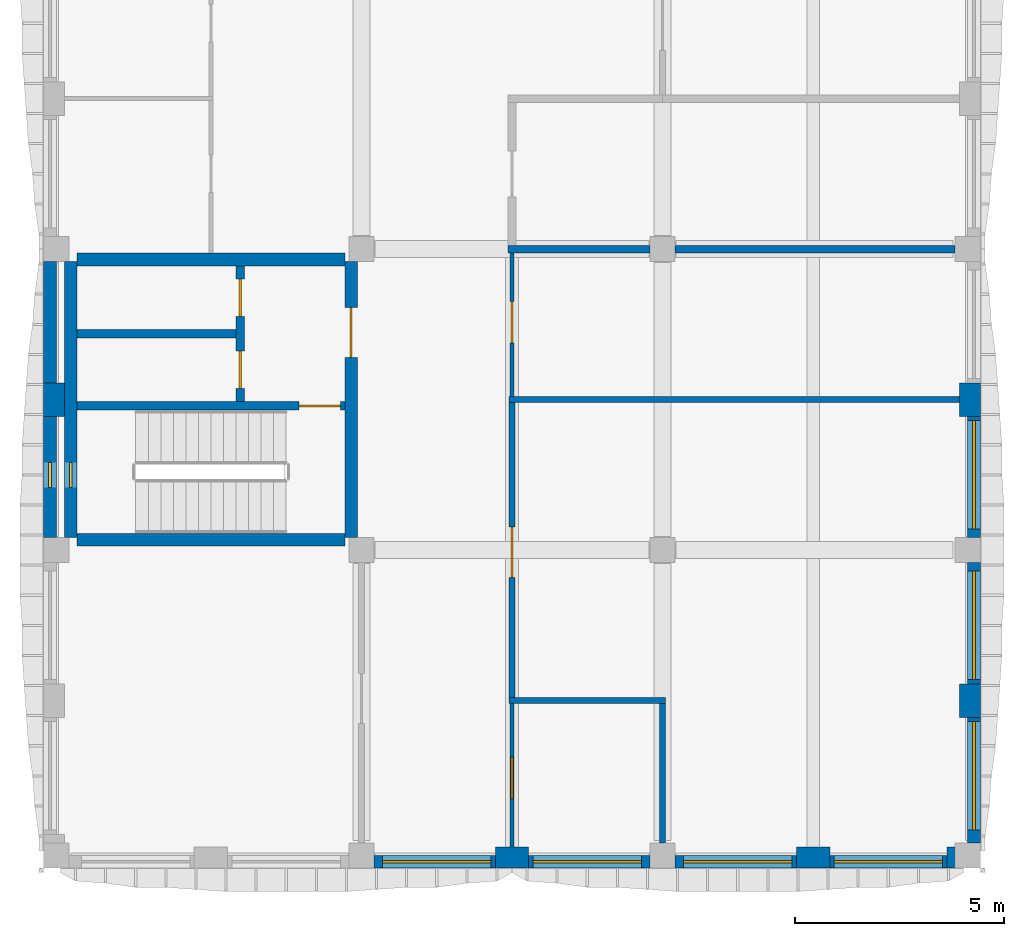
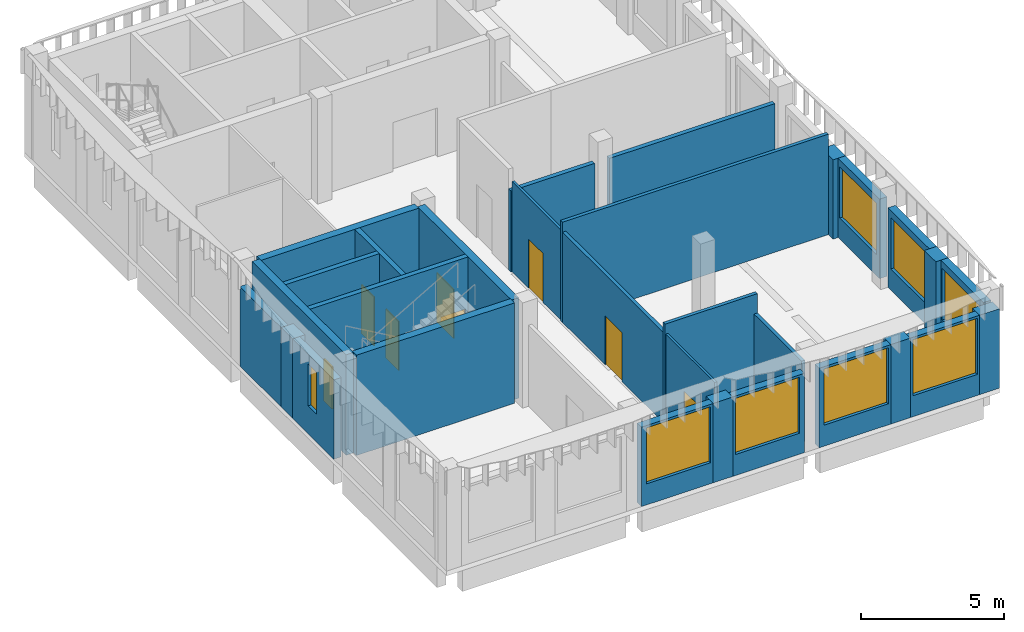
# One storey, part 2 of 10: 30 walls, 9 windows, 7 doors, 16 openings.
"""IFC4 building model written with IfcOpenShell, lengths in metres."""

from ifc_helpers import new_model, si_unit, direction, frame, frame_2d, origin, place, context, subcontext, project, spatial, rectangle, extrude, material, layer, layer_set, type_object, element, fill, save


model = new_model("IFC4")

# Units and contexts
model_context = context("Model", 3, precision=1e-05, world=origin(), true_north=direction((0.0, 1.0)))
body_context = subcontext(model_context, "Body", "Model", "MODEL_VIEW")
ifc_project = project(units=[si_unit("LENGTHUNIT", "METRE"), si_unit("AREAUNIT", "SQUARE_METRE"), si_unit("VOLUMEUNIT", "CUBIC_METRE"), si_unit("PLANEANGLEUNIT", "RADIAN"), si_unit("MASSUNIT", "GRAM", prefix="KILO")], contexts=[model_context])

# Site, building, storey
site_placement = place(None, origin())
site = spatial("IfcSite", under=ifc_project, at=site_placement, CompositionType="ELEMENT")
building_placement = place(site_placement, origin())
building = spatial("IfcBuilding", under=site, at=building_placement, Name="Ussher Court Research Institute", CompositionType="ELEMENT")
storey_placement = place(building_placement, frame((0.0, 0.0, 36.89990234375)))
storey = spatial("IfcBuildingStorey", under=building, at=storey_placement, Name="L08", CompositionType="ELEMENT", Elevation=36.89990234375)

# Walls
ifc_material_1 = material(Name="Plasterboard on steel studs with mineral wool", Category="steel")
ifc_layer_1 = layer(ifc_material_1, 0.179931640625)
ifc_layer_set_1 = layer_set([ifc_layer_1], Name="Plasterboard on steel studs with mineral wool")
wall_type_1 = type_object("IfcWallType", Name="Acoustic twin-stud partition 180", PredefinedType="PARTITIONING", material=ifc_layer_set_1)
wall_1_placement = place(storey_placement, frame((92.909912109375, 18.39990234375, 0.0), z_axis=(0.0, 0.0, 1.0), x_axis=(1.0, 0.0, 0.0)))
element("IfcWall", 1, at=wall_1_placement, inside=storey, type_object=wall_type_1, Name="Partition", PredefinedType="PARTITIONING", context=body_context, shape_type="SweptSolid", body=[
    extrude(rectangle(XDim=3.39013671875, YDim=0.179931640625, at=frame_2d((1.695068359375, 0.0))), origin(), (0.0, 0.0, 1.0), 3.47021484375),
])
wall_2_placement = place(storey_placement, frame((96.89990234375, 18.39990234375, 0.0), z_axis=(0.0, 0.0, 1.0), x_axis=(1.0, 0.0, 0.0)))
element("IfcWall", 2, at=wall_2_placement, inside=storey, type_object=wall_type_1, Name="Partition", PredefinedType="PARTITIONING", context=body_context, shape_type="SweptSolid", body=[
    extrude(rectangle(XDim=6.7001953125, YDim=0.179931640625, at=frame_2d((3.35009765625, 0.0))), origin(), (0.0, 0.0, 1.0), 3.47021484375),
])

# Wall, opening, window
ifc_material_2 = material(Name="Blockwork with cream render", Category="masonry")
ifc_layer_2 = layer(ifc_material_2, 0.300048828125)
ifc_layer_set_2 = layer_set([ifc_layer_2], Name="Blockwork with cream render")
wall_type_2 = type_object("IfcWallType", Name="External wall 300 cream render", PredefinedType="SOLIDWALL", material=ifc_layer_set_2)
wall_3_placement = place(storey_placement, frame((104.050048828125, 14.39990234375, 0.0), z_axis=(0.0, 0.0, 1.0), x_axis=(0.0, -1.0, 0.0)))
wall_3 = element("IfcWall", 3, at=wall_3_placement, inside=storey, type_object=wall_type_2, Name="External wall EW1 L08", PredefinedType="SOLIDWALL", context=body_context, shape_type="SweptSolid", body=[
    extrude(rectangle(XDim=2.89990234375, YDim=0.300048828125, at=frame_2d((1.449951171875, 0.0))), origin(), (0.0, 0.0, 1.0), 3.400146484375),
])
opening_1_placement = place(wall_3_placement, frame((0.10009765625, 0.0, 0.89990234375)))
opening_1 = element("IfcOpeningElement", 4, at=opening_1_placement, cuts=wall_3, Name="Opening W13", PredefinedType="OPENING", context=body_context, shape_type="SweptSolid", body=[
    extrude(rectangle(XDim=2.60009765625, YDim=2.199951171875, at=frame_2d((1.300048828125, 1.10009765625))), frame((0.0, 0.16015625, 0.0), z_axis=(0.0, -1.0, 0.0), x_axis=(1.0, 0.0, 0.0)), (0.0, 0.0, 1.0), 0.320068359375),
])
ifc_material_3 = material(Name="Bronze anodised aluminium with double glazing", Category="aluminium")
window_type_1 = type_object("IfcWindowType", Name="East laboratory window 2600x2200", PartitioningType="DOUBLE_PANEL_VERTICAL", PredefinedType="WINDOW", material=ifc_material_3)
window_1_placement = place(opening_1_placement, origin())
window_1 = element("IfcWindow", 5, at=window_1_placement, inside=storey, type_object=window_type_1, Name="Window W13 L08", OverallHeight=2.199951171875, OverallWidth=2.60009765625, PartitioningType="SINGLE_PANEL", PredefinedType="WINDOW", context=body_context, shape_type="SweptSolid", body=[
    extrude(rectangle(XDim=2.60009765625, YDim=2.199951171875, at=frame_2d((1.300048828125, 1.10009765625))), frame((0.0, 0.030029296875, 0.0), z_axis=(0.0, -1.0, 0.0), x_axis=(1.0, 0.0, 0.0)), (0.0, 0.0, 1.0), 0.06005859375),
])
fill(opening_1, window_1)

wall_4_placement = place(storey_placement, frame((104.050048828125, 10.89990234375, 0.0), z_axis=(0.0, 0.0, 1.0), x_axis=(0.0, -1.0, 0.0)))
wall_4 = element("IfcWall", 6, at=wall_4_placement, inside=storey, type_object=wall_type_2, Name="External wall EW1 L08", PredefinedType="SOLIDWALL", context=body_context, shape_type="SweptSolid", body=[
    extrude(rectangle(XDim=2.89990234375, YDim=0.300048828125, at=frame_2d((1.449951171875, 0.0))), origin(), (0.0, 0.0, 1.0), 3.400146484375),
])
opening_2_placement = place(wall_4_placement, frame((0.199951171875, 0.0, 0.89990234375)))
opening_2 = element("IfcOpeningElement", 7, at=opening_2_placement, cuts=wall_4, Name="Opening W13", PredefinedType="OPENING", context=body_context, shape_type="SweptSolid", body=[
    extrude(rectangle(XDim=2.60009765625, YDim=2.199951171875, at=frame_2d((1.300048828125, 1.10009765625))), frame((0.0, 0.16015625, 0.0), z_axis=(0.0, -1.0, 0.0), x_axis=(1.0, 0.0, 0.0)), (0.0, 0.0, 1.0), 0.320068359375),
])
window_2_placement = place(opening_2_placement, origin())
window_2 = element("IfcWindow", 8, at=window_2_placement, inside=storey, type_object=window_type_1, Name="Window W13 L08", OverallHeight=2.199951171875, OverallWidth=2.60009765625, PartitioningType="SINGLE_PANEL", PredefinedType="WINDOW", context=body_context, shape_type="SweptSolid", body=[
    extrude(rectangle(XDim=2.60009765625, YDim=2.199951171875, at=frame_2d((1.300048828125, 1.10009765625))), frame((0.0, 0.030029296875, 0.0), z_axis=(0.0, -1.0, 0.0), x_axis=(1.0, 0.0, 0.0)), (0.0, 0.0, 1.0), 0.06005859375),
])
fill(opening_2, window_2)

wall_5_placement = place(storey_placement, frame((104.050048828125, 7.199951171875, 0.0), z_axis=(0.0, 0.0, 1.0), x_axis=(0.0, -1.0, 0.0)))
wall_5 = element("IfcWall", 9, at=wall_5_placement, inside=storey, type_object=wall_type_2, Name="External wall EW1 L08", PredefinedType="SOLIDWALL", context=body_context, shape_type="SweptSolid", body=[
    extrude(rectangle(XDim=3.0, YDim=0.300048828125, at=frame_2d((1.5, 0.0))), origin(), (0.0, 0.0, 1.0), 3.400146484375),
])
opening_3_placement = place(wall_5_placement, frame((0.10009765625, 0.0, 0.89990234375)))
opening_3 = element("IfcOpeningElement", 10, at=opening_3_placement, cuts=wall_5, Name="Opening W13", PredefinedType="OPENING", context=body_context, shape_type="SweptSolid", body=[
    extrude(rectangle(XDim=2.60009765625, YDim=2.199951171875, at=frame_2d((1.300048828125, 1.10009765625))), frame((0.0, 0.16015625, 0.0), z_axis=(0.0, -1.0, 0.0), x_axis=(1.0, 0.0, 0.0)), (0.0, 0.0, 1.0), 0.320068359375),
])
window_3_placement = place(opening_3_placement, origin())
window_3 = element("IfcWindow", 11, at=window_3_placement, inside=storey, type_object=window_type_1, Name="Window W13 L08", OverallHeight=2.199951171875, OverallWidth=2.60009765625, PartitioningType="SINGLE_PANEL", PredefinedType="WINDOW", context=body_context, shape_type="SweptSolid", body=[
    extrude(rectangle(XDim=2.60009765625, YDim=2.199951171875, at=frame_2d((1.300048828125, 1.10009765625))), frame((0.0, 0.030029296875, 0.0), z_axis=(0.0, -1.0, 0.0), x_axis=(1.0, 0.0, 0.0)), (0.0, 0.0, 1.0), 0.06005859375),
])
fill(opening_3, window_3)

wall_6_placement = place(storey_placement, frame((103.39990234375, 3.75, 0.0), z_axis=(0.0, 0.0, 1.0), x_axis=(-1.0, 0.0, 0.0)))
wall_6 = element("IfcWall", 12, at=wall_6_placement, inside=storey, type_object=wall_type_2, Name="External wall EW1 L08", PredefinedType="SOLIDWALL", context=body_context, shape_type="SweptSolid", body=[
    extrude(rectangle(XDim=2.7998046875, YDim=0.300048828125, at=frame_2d((1.39990234375, 0.0))), origin(), (0.0, 0.0, 1.0), 3.400146484375),
])
opening_4_placement = place(wall_6_placement, frame((0.10009765625, 0.0, 0.89990234375)))
opening_4 = element("IfcOpeningElement", 13, at=opening_4_placement, cuts=wall_6, Name="Opening W01", PredefinedType="OPENING", context=body_context, shape_type="SweptSolid", body=[
    extrude(rectangle(XDim=2.60009765625, YDim=2.39990234375, at=frame_2d((1.300048828125, 1.199951171875))), frame((0.0, 0.16015625, 0.0), z_axis=(0.0, -1.0, 0.0), x_axis=(1.0, 0.0, 0.0)), (0.0, 0.0, 1.0), 0.320068359375),
])
ifc_material_4 = material(Name="Bronze anodised aluminium with double glazing", Category="aluminium")
window_type_2 = type_object("IfcWindowType", Name="Laboratory bay window 2600x2400", PartitioningType="DOUBLE_PANEL_VERTICAL", PredefinedType="WINDOW", material=ifc_material_4)
window_4_placement = place(opening_4_placement, origin())
window_4 = element("IfcWindow", 14, at=window_4_placement, inside=storey, type_object=window_type_2, Name="Window W01 L08", OverallHeight=2.39990234375, OverallWidth=2.60009765625, PartitioningType="SINGLE_PANEL", PredefinedType="WINDOW", context=body_context, shape_type="SweptSolid", body=[
    extrude(rectangle(XDim=2.60009765625, YDim=2.39990234375, at=frame_2d((1.300048828125, 1.199951171875))), frame((0.0, 0.030029296875, 0.0), z_axis=(0.0, -1.0, 0.0), x_axis=(1.0, 0.0, 0.0)), (0.0, 0.0, 1.0), 0.06005859375),
])
fill(opening_4, window_4)

wall_7_placement = place(storey_placement, frame((99.800048828125, 3.75, 0.0), z_axis=(0.0, 0.0, 1.0), x_axis=(-1.0, 0.0, 0.0)))
wall_7 = element("IfcWall", 15, at=wall_7_placement, inside=storey, type_object=wall_type_2, Name="External wall EW1 L08", PredefinedType="SOLIDWALL", context=body_context, shape_type="SweptSolid", body=[
    extrude(rectangle(XDim=2.900146484375, YDim=0.300048828125, at=frame_2d((1.4501953125, 0.0))), origin(), (0.0, 0.0, 1.0), 3.400146484375),
])
opening_5_placement = place(wall_7_placement, frame((0.10009765625, 0.0, 0.89990234375)))
opening_5 = element("IfcOpeningElement", 16, at=opening_5_placement, cuts=wall_7, Name="Opening W01", PredefinedType="OPENING", context=body_context, shape_type="SweptSolid", body=[
    extrude(rectangle(XDim=2.60009765625, YDim=2.39990234375, at=frame_2d((1.300048828125, 1.199951171875))), frame((0.0, 0.16015625, 0.0), z_axis=(0.0, -1.0, 0.0), x_axis=(1.0, 0.0, 0.0)), (0.0, 0.0, 1.0), 0.320068359375),
])
window_5_placement = place(opening_5_placement, origin())
window_5 = element("IfcWindow", 17, at=window_5_placement, inside=storey, type_object=window_type_2, Name="Window W01 L08", OverallHeight=2.39990234375, OverallWidth=2.60009765625, PartitioningType="SINGLE_PANEL", PredefinedType="WINDOW", context=body_context, shape_type="SweptSolid", body=[
    extrude(rectangle(XDim=2.60009765625, YDim=2.39990234375, at=frame_2d((1.300048828125, 1.199951171875))), frame((0.0, 0.030029296875, 0.0), z_axis=(0.0, -1.0, 0.0), x_axis=(1.0, 0.0, 0.0)), (0.0, 0.0, 1.0), 0.06005859375),
])
fill(opening_5, window_5)

wall_8_placement = place(storey_placement, frame((96.300048828125, 3.75, 0.0), z_axis=(0.0, 0.0, 1.0), x_axis=(-1.0, 0.0, 0.0)))
wall_8 = element("IfcWall", 18, at=wall_8_placement, inside=storey, type_object=wall_type_2, Name="External wall EW1 L08", PredefinedType="SOLIDWALL", context=body_context, shape_type="SweptSolid", body=[
    extrude(rectangle(XDim=2.900146484375, YDim=0.300048828125, at=frame_2d((1.4501953125, 0.0))), origin(), (0.0, 0.0, 1.0), 3.400146484375),
])
opening_6_placement = place(wall_8_placement, frame((0.199951171875, 0.0, 0.89990234375)))
opening_6 = element("IfcOpeningElement", 19, at=opening_6_placement, cuts=wall_8, Name="Opening W01", PredefinedType="OPENING", context=body_context, shape_type="SweptSolid", body=[
    extrude(rectangle(XDim=2.60009765625, YDim=2.39990234375, at=frame_2d((1.300048828125, 1.199951171875))), frame((0.0, 0.16015625, 0.0), z_axis=(0.0, -1.0, 0.0), x_axis=(1.0, 0.0, 0.0)), (0.0, 0.0, 1.0), 0.320068359375),
])
window_6_placement = place(opening_6_placement, origin())
window_6 = element("IfcWindow", 20, at=window_6_placement, inside=storey, type_object=window_type_2, Name="Window W01 L08", OverallHeight=2.39990234375, OverallWidth=2.60009765625, PartitioningType="SINGLE_PANEL", PredefinedType="WINDOW", context=body_context, shape_type="SweptSolid", body=[
    extrude(rectangle(XDim=2.60009765625, YDim=2.39990234375, at=frame_2d((1.300048828125, 1.199951171875))), frame((0.0, 0.030029296875, 0.0), z_axis=(0.0, -1.0, 0.0), x_axis=(1.0, 0.0, 0.0)), (0.0, 0.0, 1.0), 0.06005859375),
])
fill(opening_6, window_6)

wall_9_placement = place(storey_placement, frame((92.60009765625, 3.75, 0.0), z_axis=(0.0, 0.0, 1.0), x_axis=(-1.0, 0.0, 0.0)))
wall_9 = element("IfcWall", 21, at=wall_9_placement, inside=storey, type_object=wall_type_2, Name="External wall EW1 L08", PredefinedType="SOLIDWALL", context=body_context, shape_type="SweptSolid", body=[
    extrude(rectangle(XDim=2.900146484375, YDim=0.300048828125, at=frame_2d((1.4501953125, 0.0))), origin(), (0.0, 0.0, 1.0), 3.400146484375),
])
opening_7_placement = place(wall_9_placement, frame((0.10009765625, 0.0, 0.89990234375)))
opening_7 = element("IfcOpeningElement", 22, at=opening_7_placement, cuts=wall_9, Name="Opening W01", PredefinedType="OPENING", context=body_context, shape_type="SweptSolid", body=[
    extrude(rectangle(XDim=2.60009765625, YDim=2.39990234375, at=frame_2d((1.300048828125, 1.199951171875))), frame((0.0, 0.16015625, 0.0), z_axis=(0.0, -1.0, 0.0), x_axis=(1.0, 0.0, 0.0)), (0.0, 0.0, 1.0), 0.320068359375),
])
window_7_placement = place(opening_7_placement, origin())
window_7 = element("IfcWindow", 23, at=window_7_placement, inside=storey, type_object=window_type_2, Name="Window W01 L08", OverallHeight=2.39990234375, OverallWidth=2.60009765625, PartitioningType="SINGLE_PANEL", PredefinedType="WINDOW", context=body_context, shape_type="SweptSolid", body=[
    extrude(rectangle(XDim=2.60009765625, YDim=2.39990234375, at=frame_2d((1.300048828125, 1.199951171875))), frame((0.0, 0.030029296875, 0.0), z_axis=(0.0, -1.0, 0.0), x_axis=(1.0, 0.0, 0.0)), (0.0, 0.0, 1.0), 0.06005859375),
])
fill(opening_7, window_7)

ifc_material_5 = material(Name="Limestone facing on blockwork", Category="masonry")
ifc_layer_3 = layer(ifc_material_5, 0.300048828125)
ifc_layer_set_3 = layer_set([ifc_layer_3], Name="Limestone facing on blockwork")
wall_type_3 = type_object("IfcWallType", Name="External wall 300 stair enclosure", PredefinedType="SOLIDWALL", material=ifc_layer_set_3)
wall_10_placement = place(storey_placement, frame((81.949951171875, 11.5, 0.0), z_axis=(0.0, 0.0, 1.0), x_axis=(0.0, 1.0, 0.0)))
wall_10 = element("IfcWall", 24, at=wall_10_placement, inside=storey, type_object=wall_type_3, Name="External wall EW5 L08", PredefinedType="SOLIDWALL", context=body_context, shape_type="SweptSolid", body=[
    extrude(rectangle(XDim=2.89990234375, YDim=0.300048828125, at=frame_2d((1.449951171875, 0.0))), origin(), (0.0, 0.0, 1.0), 3.400146484375),
])
opening_8_placement = place(wall_10_placement, frame((1.199951171875, 0.0, 1.199951171875)))
opening_8 = element("IfcOpeningElement", 25, at=opening_8_placement, cuts=wall_10, Name="Opening W25", PredefinedType="OPENING", context=body_context, shape_type="SweptSolid", body=[
    extrude(rectangle(XDim=0.60009765625, YDim=1.800048828125, at=frame_2d((0.300048828125, 0.89990234375))), frame((0.0, 0.16015625, 0.0), z_axis=(0.0, -1.0, 0.0), x_axis=(1.0, 0.0, 0.0)), (0.0, 0.0, 1.0), 0.320068359375),
])
ifc_material_6 = material(Name="Bronze anodised aluminium with double glazing", Category="aluminium")
window_type_3 = type_object("IfcWindowType", Name="Stair light slot window 600x1800 fire-resisting glazing", PartitioningType="SINGLE_PANEL", PredefinedType="WINDOW", material=ifc_material_6)
window_8_placement = place(opening_8_placement, origin())
window_8 = element("IfcWindow", 26, at=window_8_placement, inside=storey, type_object=window_type_3, Name="Window W25 L08", OverallHeight=1.800048828125, OverallWidth=0.60009765625, PartitioningType="SINGLE_PANEL", PredefinedType="WINDOW", context=body_context, shape_type="SweptSolid", body=[
    extrude(rectangle(XDim=0.60009765625, YDim=1.800048828125, at=frame_2d((0.300048828125, 0.89990234375))), frame((0.0, 0.030029296875, 0.0), z_axis=(0.0, -1.0, 0.0), x_axis=(1.0, 0.0, 0.0)), (0.0, 0.0, 1.0), 0.06005859375),
])
fill(opening_8, window_8)

# Walls
wall_11_placement = place(storey_placement, frame((81.949951171875, 15.199951171875, 0.0), z_axis=(0.0, 0.0, 1.0), x_axis=(0.0, 1.0, 0.0)))
element("IfcWall", 27, at=wall_11_placement, inside=storey, type_object=wall_type_3, Name="External wall EW5 L08", PredefinedType="SOLIDWALL", context=body_context, shape_type="SweptSolid", body=[
    extrude(rectangle(XDim=2.900146484375, YDim=0.300048828125, at=frame_2d((1.4501953125, 0.0))), origin(), (0.0, 0.0, 1.0), 3.400146484375),
])
ifc_material_7 = material(Name="Plastered blockwork", Category="masonry")
ifc_layer_4 = layer(ifc_material_7, 0.139892578125)
ifc_layer_set_4 = layer_set([ifc_layer_4], Name="Plastered blockwork")
wall_type_4 = type_object("IfcWallType", Name="Laboratory blockwork partition 140", PredefinedType="PARTITIONING", material=ifc_layer_set_4)
wall_12_placement = place(storey_placement, frame((92.929931640625, 7.60009765625, 0.0), z_axis=(0.0, 0.0, 1.0), x_axis=(1.0, 0.0, 0.0)))
element("IfcWall", 28, at=wall_12_placement, inside=storey, type_object=wall_type_4, Name="Partition", PredefinedType="PARTITIONING", context=body_context, shape_type="SweptSolid", body=[
    extrude(rectangle(XDim=3.739990234375, YDim=0.139892578125, at=frame_2d((1.8701171875, 0.0))), origin(), (0.0, 0.0, 1.0), 4.300048828125),
])
wall_13_placement = place(storey_placement, frame((92.929931640625, 14.800048828125, 0.0), z_axis=(0.0, 0.0, 1.0), x_axis=(1.0, 0.0, 0.0)))
element("IfcWall", 29, at=wall_13_placement, inside=storey, type_object=wall_type_4, Name="Partition", PredefinedType="PARTITIONING", context=body_context, shape_type="SweptSolid", body=[
    extrude(rectangle(XDim=10.77001953125, YDim=0.139892578125, at=frame_2d((5.385009765625, 0.0))), origin(), (0.0, 0.0, 1.0), 4.300048828125),
])

# Wall, opening, door
wall_14_placement = place(storey_placement, frame((93.0, 14.72998046875, 0.0), z_axis=(0.0, 0.0, 1.0), x_axis=(0.0, -1.0, 0.0)))
wall_14 = element("IfcWall", 30, at=wall_14_placement, inside=storey, type_object=wall_type_4, Name="Partition", PredefinedType="PARTITIONING", context=body_context, shape_type="SweptSolid", body=[
    extrude(rectangle(XDim=7.06005859375, YDim=0.139892578125, at=frame_2d((3.530029296875, 0.0))), origin(), (0.0, 0.0, 1.0), 3.8701171875),
])
opening_9_placement = place(wall_14_placement, frame((2.97998046875, 0.0, 0.0)))
opening_9 = element("IfcOpeningElement", 31, at=opening_9_placement, cuts=wall_14, Name="Opening D08011", PredefinedType="OPENING", context=body_context, shape_type="SweptSolid", body=[
    extrude(rectangle(XDim=1.199951171875, YDim=2.10009765625, at=frame_2d((0.60009765625, 1.050048828125))), frame((0.0, 0.080078125, 0.0), z_axis=(0.0, -1.0, 0.0), x_axis=(1.0, 0.0, 0.0)), (0.0, 0.0, 1.0), 0.159912109375),
])
ifc_material_8 = material(Name="Veneered timber door", Category="wood")
door_type_1 = type_object("IfcDoorType", Name="Laboratory door 1200x2100", OperationType="NOTDEFINED", PredefinedType="DOOR", material=ifc_material_8)
door_1_placement = place(opening_9_placement, origin())
door_1 = element("IfcDoor", 32, at=door_1_placement, inside=storey, type_object=door_type_1, Name="Door D08011", OperationType="SINGLE_SWING_RIGHT", OverallHeight=2.10009765625, OverallWidth=1.199951171875, PredefinedType="DOOR", context=body_context, shape_type="SweptSolid", body=[
    extrude(rectangle(XDim=1.199951171875, YDim=2.10009765625, at=frame_2d((0.60009765625, 1.050048828125))), frame((0.0, 0.02490234375, 0.0), z_axis=(0.0, -1.0, 0.0), x_axis=(1.0, 0.0, 0.0)), (0.0, 0.0, 1.0), 0.050048828125),
])
fill(opening_9, door_1)

# Wall
wall_15_placement = place(storey_placement, frame((96.60009765625, 4.199951171875, 0.0), z_axis=(0.0, 0.0, 1.0), x_axis=(0.0, 1.0, 0.0)))
element("IfcWall", 33, at=wall_15_placement, inside=storey, type_object=wall_type_4, Name="Partition", PredefinedType="PARTITIONING", context=body_context, shape_type="SweptSolid", body=[
    extrude(rectangle(XDim=3.330078125, YDim=0.139892578125, at=frame_2d((1.6650390625, 0.0))), origin(), (0.0, 0.0, 1.0), 3.47021484375),
])

# Wall, opening, door
ifc_material_9 = material(Name="Plastered blockwork", Category="masonry")
ifc_layer_5 = layer(ifc_material_9, 0.10009765625)
ifc_layer_set_5 = layer_set([ifc_layer_5], Name="Plastered blockwork")
wall_type_5 = type_object("IfcWallType", Name="Partition plastered blockwork 100", PredefinedType="PARTITIONING", material=ifc_layer_set_5)
wall_16_placement = place(storey_placement, frame((93.0, 18.31005859375, 0.0), z_axis=(0.0, 0.0, 1.0), x_axis=(0.0, -1.0, 0.0)))
wall_16 = element("IfcWall", 34, at=wall_16_placement, inside=storey, type_object=wall_type_5, Name="Partition", PredefinedType="PARTITIONING", context=body_context, shape_type="SweptSolid", body=[
    extrude(rectangle(XDim=3.43994140625, YDim=0.10009765625, at=frame_2d((1.719970703125, 0.0))), origin(), (0.0, 0.0, 1.0), 3.8701171875),
])
opening_10_placement = place(wall_16_placement, frame((1.159912109375, 0.0, 0.0)))
opening_10 = element("IfcOpeningElement", 35, at=opening_10_placement, cuts=wall_16, Name="Opening D08012", PredefinedType="OPENING", context=body_context, shape_type="SweptSolid", body=[
    extrude(rectangle(XDim=1.0, YDim=2.10009765625, at=frame_2d((0.5, 1.050048828125))), frame((0.0, 0.06005859375, 0.0), z_axis=(0.0, -1.0, 0.0), x_axis=(1.0, 0.0, 0.0)), (0.0, 0.0, 1.0), 0.1201171875),
])
ifc_material_10 = material(Name="Veneered timber door", Category="wood")
door_type_2 = type_object("IfcDoorType", Name="Office door 1000x2100", OperationType="NOTDEFINED", PredefinedType="DOOR", material=ifc_material_10)
door_2_placement = place(opening_10_placement, origin())
door_2 = element("IfcDoor", 36, at=door_2_placement, inside=storey, type_object=door_type_2, Name="Door D08012", OperationType="SINGLE_SWING_LEFT", OverallHeight=2.10009765625, OverallWidth=1.0, PredefinedType="DOOR", context=body_context, shape_type="SweptSolid", body=[
    extrude(rectangle(XDim=1.0, YDim=2.10009765625, at=frame_2d((0.5, 1.050048828125))), frame((0.0, 0.02490234375, 0.0), z_axis=(0.0, -1.0, 0.0), x_axis=(1.0, 0.0, 0.0)), (0.0, 0.0, 1.0), 0.050048828125),
])
fill(opening_10, door_2)

# Walls
ifc_material_11 = material(Name="Blockwork with cream render", Category="masonry")
ifc_layer_6 = layer(ifc_material_11, 0.5)
ifc_layer_set_6 = layer_set([ifc_layer_6], Name="Blockwork with cream render")
wall_type_6 = type_object("IfcWallType", Name="Pier 800x500 cream render", PredefinedType="SOLIDWALL", material=ifc_layer_set_6)
for number, where, z_axis, x_axis, name in (
    (37, (82.050048828125, 14.39990234375, 0.0), (0.0, 0.0, 1.0), (0.0, 1.0, 0.0), "Pier PR1 L08"),
    (38, (103.949951171875, 15.199951171875, 0.0), (0.0, 0.0, 1.0), (0.0, -1.0, 0.0), "Pier PR1 L08"),
    (39, (103.949951171875, 8.0, 0.0), (0.0, 0.0, 1.0), (0.0, -1.0, 0.0), "Pier PR1 L08"),
    (40, (104.199951171875, 3.85009765625, 0.0), (0.0, 0.0, 1.0), (-1.0, 0.0, 0.0), "Pier PR1 L08"),
    (41, (100.60009765625, 3.85009765625, 0.0), (0.0, 0.0, 1.0), (-1.0, 0.0, 0.0), "Pier PR1 L08"),
):
    element("IfcWall", number, at=place(storey_placement, frame(where, z_axis=z_axis, x_axis=x_axis)), inside=storey, type_object=wall_type_6, Name=name, PredefinedType="SOLIDWALL", context=body_context, shape_type="SweptSolid", body=[
        extrude(rectangle(XDim=0.800048828125, YDim=0.5, at=frame_2d((0.39990234375, 0.0))), origin(), (0.0, 0.0, 1.0), 3.400146484375),
    ])
wall_17_placement = place(storey_placement, frame((93.39990234375, 3.85009765625, 0.0), z_axis=(0.0, 0.0, 1.0), x_axis=(-1.0, 0.0, 0.0)))
element("IfcWall", 42, at=wall_17_placement, inside=storey, type_object=wall_type_6, Name="Pier PR1 L08", PredefinedType="SOLIDWALL", context=body_context, shape_type="SweptSolid", body=[
    extrude(rectangle(XDim=0.7998046875, YDim=0.5, at=frame_2d((0.39990234375, 0.0))), origin(), (0.0, 0.0, 1.0), 3.400146484375),
])

# Wall, opening, door
ifc_material_12 = material(Name="Concrete C35/45", Category="concrete")
ifc_layer_7 = layer(ifc_material_12, 0.199951171875)
ifc_layer_set_7 = layer_set([ifc_layer_7], Name="Concrete C35/45")
wall_type_7 = type_object("IfcWallType", Name="RC core wall 200", PredefinedType="SHEAR", material=ifc_layer_set_7)
wall_18_placement = place(storey_placement, frame((89.0, 14.64990234375, 0.0), z_axis=(0.0, 0.0, 1.0), x_axis=(-1.0, 0.0, 0.0)))
wall_18 = element("IfcWall", 43, at=wall_18_placement, inside=storey, type_object=wall_type_7, Name="Core wall T2", PredefinedType="SHEAR", context=body_context, shape_type="SweptSolid", body=[
    extrude(rectangle(XDim=6.39990234375, YDim=0.199951171875, at=frame_2d((3.199951171875, 0.0))), origin(), (0.0, 0.0, 1.0), 4.300048828125),
])
opening_11_placement = place(wall_18_placement, frame((0.10009765625, 0.0, 0.0)))
opening_11 = element("IfcOpeningElement", 44, at=opening_11_placement, cuts=wall_18, Name="Opening D08007", PredefinedType="OPENING", context=body_context, shape_type="SweptSolid", body=[
    extrude(rectangle(XDim=1.0, YDim=2.10009765625, at=frame_2d((0.5, 1.050048828125))), frame((0.0, 0.10986328125, 0.0), z_axis=(0.0, -1.0, 0.0), x_axis=(1.0, 0.0, 0.0)), (0.0, 0.0, 1.0), 0.219970703125),
])
ifc_material_13 = material(Name="Painted steel faced fire door", Category="steel")
door_type_3 = type_object("IfcDoorType", Name="Fire door 1000x2100 FD60", OperationType="NOTDEFINED", PredefinedType="DOOR", material=ifc_material_13)
door_3_placement = place(opening_11_placement, origin())
door_3 = element("IfcDoor", 45, at=door_3_placement, inside=storey, type_object=door_type_3, Name="Door D08007", OperationType="SINGLE_SWING_LEFT", OverallHeight=2.10009765625, OverallWidth=1.0, PredefinedType="DOOR", context=body_context, shape_type="SweptSolid", body=[
    extrude(rectangle(XDim=1.0, YDim=2.10009765625, at=frame_2d((0.5, 1.050048828125))), frame((0.0, 0.02490234375, 0.0), z_axis=(0.0, -1.0, 0.0), x_axis=(1.0, 0.0, 0.0)), (0.0, 0.0, 1.0), 0.050048828125),
])
fill(opening_11, door_3)

# Wall, openings, doors
wall_19_placement = place(storey_placement, frame((86.5, 18.0, 0.0), z_axis=(0.0, 0.0, 1.0), x_axis=(0.0, -1.0, 0.0)))
wall_19 = element("IfcWall", 46, at=wall_19_placement, inside=storey, type_object=wall_type_7, Name="Core wall T2", PredefinedType="SHEAR", context=body_context, shape_type="SweptSolid", body=[
    extrude(rectangle(XDim=3.25, YDim=0.199951171875, at=frame_2d((1.625, 0.0))), origin(), (0.0, 0.0, 1.0), 4.300048828125),
])
opening_12_placement = place(wall_19_placement, frame((2.03759765625, 0.0, 0.0)))
opening_12 = element("IfcOpeningElement", 47, at=opening_12_placement, cuts=wall_19, Name="Opening D08004", PredefinedType="OPENING", context=body_context, shape_type="SweptSolid", body=[
    extrude(rectangle(XDim=0.89990234375, YDim=2.10009765625, at=frame_2d((0.449951171875, 1.050048828125))), frame((0.0, 0.10986328125, 0.0), z_axis=(0.0, -1.0, 0.0), x_axis=(1.0, 0.0, 0.0)), (0.0, 0.0, 1.0), 0.219970703125),
])
opening_13_placement = place(wall_19_placement, frame((0.3125, 0.0, 0.0)))
opening_13 = element("IfcOpeningElement", 48, at=opening_13_placement, cuts=wall_19, Name="Opening D08005", PredefinedType="OPENING", context=body_context, shape_type="SweptSolid", body=[
    extrude(rectangle(XDim=0.89990234375, YDim=2.10009765625, at=frame_2d((0.449951171875, 1.050048828125))), frame((0.0, 0.10986328125, 0.0), z_axis=(0.0, -1.0, 0.0), x_axis=(1.0, 0.0, 0.0)), (0.0, 0.0, 1.0), 0.219970703125),
])
ifc_material_14 = material(Name="Painted steel faced fire door", Category="steel")
door_type_4 = type_object("IfcDoorType", Name="Fire door 900x2100 FD60", OperationType="NOTDEFINED", PredefinedType="DOOR", material=ifc_material_14)
door_4_placement = place(opening_12_placement, origin())
door_4 = element("IfcDoor", 49, at=door_4_placement, inside=storey, type_object=door_type_4, Name="Door D08004", OperationType="SINGLE_SWING_RIGHT", OverallHeight=2.10009765625, OverallWidth=0.89990234375, PredefinedType="DOOR", context=body_context, shape_type="SweptSolid", body=[
    extrude(rectangle(XDim=0.89990234375, YDim=2.10009765625, at=frame_2d((0.449951171875, 1.050048828125))), frame((0.0, 0.02490234375, 0.0), z_axis=(0.0, -1.0, 0.0), x_axis=(1.0, 0.0, 0.0)), (0.0, 0.0, 1.0), 0.050048828125),
])
fill(opening_12, door_4)
door_5_placement = place(opening_13_placement, origin())
door_5 = element("IfcDoor", 50, at=door_5_placement, inside=storey, type_object=door_type_4, Name="Door D08005", OperationType="SINGLE_SWING_LEFT", OverallHeight=2.10009765625, OverallWidth=0.89990234375, PredefinedType="DOOR", context=body_context, shape_type="SweptSolid", body=[
    extrude(rectangle(XDim=0.89990234375, YDim=2.10009765625, at=frame_2d((0.449951171875, 1.050048828125))), frame((0.0, 0.02490234375, 0.0), z_axis=(0.0, -1.0, 0.0), x_axis=(1.0, 0.0, 0.0)), (0.0, 0.0, 1.0), 0.050048828125),
])
fill(opening_13, door_5)

# Wall
wall_20_placement = place(storey_placement, frame((82.60009765625, 16.375, 0.0), z_axis=(0.0, 0.0, 1.0), x_axis=(1.0, 0.0, 0.0)))
element("IfcWall", 51, at=wall_20_placement, inside=storey, type_object=wall_type_7, Name="Core wall T2", PredefinedType="SHEAR", context=body_context, shape_type="SweptSolid", body=[
    extrude(rectangle(XDim=3.7998046875, YDim=0.199951171875, at=frame_2d((1.89990234375, 0.0))), origin(), (0.0, 0.0, 1.0), 4.300048828125),
])

# Wall, opening, door
ifc_material_15 = material(Name="Concrete C35/45", Category="concrete")
ifc_layer_8 = layer(ifc_material_15, 0.300048828125)
ifc_layer_set_8 = layer_set([ifc_layer_8], Name="Concrete C35/45")
wall_type_8 = type_object("IfcWallType", Name="RC core wall 300", PredefinedType="SHEAR", material=ifc_layer_set_8)
wall_21_placement = place(storey_placement, frame((89.14990234375, 11.5, 0.0), z_axis=(0.0, 0.0, 1.0), x_axis=(0.0, 1.0, 0.0)))
wall_21 = element("IfcWall", 52, at=wall_21_placement, inside=storey, type_object=wall_type_8, Name="Core wall T2", PredefinedType="SHEAR", context=body_context, shape_type="SweptSolid", body=[
    extrude(rectangle(XDim=6.60009765625, YDim=0.300048828125, at=frame_2d((3.300048828125, 0.0))), origin(), (0.0, 0.0, 1.0), 4.300048828125),
])
opening_14_placement = place(wall_21_placement, frame((4.300048828125, 0.0, 0.0)))
opening_14 = element("IfcOpeningElement", 53, at=opening_14_placement, cuts=wall_21, Name="Opening D08008", PredefinedType="OPENING", context=body_context, shape_type="SweptSolid", body=[
    extrude(rectangle(XDim=1.199951171875, YDim=2.10009765625, at=frame_2d((0.60009765625, 1.050048828125))), frame((0.0, 0.16015625, 0.0), z_axis=(0.0, -1.0, 0.0), x_axis=(1.0, 0.0, 0.0)), (0.0, 0.0, 1.0), 0.320068359375),
])
ifc_material_16 = material(Name="Painted steel faced fire door", Category="steel")
door_type_5 = type_object("IfcDoorType", Name="Fire door 1200x2100 FD60", OperationType="NOTDEFINED", PredefinedType="DOOR", material=ifc_material_16)
door_6_placement = place(opening_14_placement, origin())
door_6 = element("IfcDoor", 54, at=door_6_placement, inside=storey, type_object=door_type_5, Name="Door D08008", OperationType="SINGLE_SWING_RIGHT", OverallHeight=2.10009765625, OverallWidth=1.199951171875, PredefinedType="DOOR", context=body_context, shape_type="SweptSolid", body=[
    extrude(rectangle(XDim=1.199951171875, YDim=2.10009765625, at=frame_2d((0.60009765625, 1.050048828125))), frame((0.0, 0.02490234375, 0.0), z_axis=(0.0, -1.0, 0.0), x_axis=(1.0, 0.0, 0.0)), (0.0, 0.0, 1.0), 0.050048828125),
])
fill(opening_14, door_6)

# Wall, opening, window
wall_22_placement = place(storey_placement, frame((82.449951171875, 11.5, 0.0), z_axis=(0.0, 0.0, 1.0), x_axis=(0.0, 1.0, 0.0)))
wall_22 = element("IfcWall", 55, at=wall_22_placement, inside=storey, type_object=wall_type_8, Name="Core wall T2", PredefinedType="SHEAR", context=body_context, shape_type="SweptSolid", body=[
    extrude(rectangle(XDim=6.60009765625, YDim=0.300048828125, at=frame_2d((3.300048828125, 0.0))), origin(), (0.0, 0.0, 1.0), 4.300048828125),
])
opening_15_placement = place(wall_22_placement, frame((1.199951171875, 0.0, 1.199951171875)))
opening_15 = element("IfcOpeningElement", 56, at=opening_15_placement, cuts=wall_22, Name="Opening W25", PredefinedType="OPENING", context=body_context, shape_type="SweptSolid", body=[
    extrude(rectangle(XDim=0.60009765625, YDim=1.800048828125, at=frame_2d((0.300048828125, 0.89990234375))), frame((0.0, 0.16015625, 0.0), z_axis=(0.0, -1.0, 0.0), x_axis=(1.0, 0.0, 0.0)), (0.0, 0.0, 1.0), 0.320068359375),
])
window_9_placement = place(opening_15_placement, origin())
window_9 = element("IfcWindow", 57, at=window_9_placement, inside=storey, type_object=window_type_3, Name="Window stair light T2 L08", OverallHeight=1.800048828125, OverallWidth=0.60009765625, PartitioningType="SINGLE_PANEL", PredefinedType="WINDOW", context=body_context, shape_type="SweptSolid", body=[
    extrude(rectangle(XDim=0.60009765625, YDim=1.800048828125, at=frame_2d((0.300048828125, 0.89990234375))), frame((0.0, 0.030029296875, 0.0), z_axis=(0.0, -1.0, 0.0), x_axis=(1.0, 0.0, 0.0)), (0.0, 0.0, 1.0), 0.06005859375),
])
fill(opening_15, window_9)

# Walls
for number, where, z_axis, x_axis, name in (
    (58, (82.60009765625, 11.449951171875, 0.0), (0.0, 0.0, 1.0), (1.0, 0.0, 0.0), "Core wall T2"),
    (59, (82.60009765625, 18.14990234375, 0.0), (0.0, 0.0, 1.0), (1.0, 0.0, 0.0), "Core wall T2"),
):
    element("IfcWall", number, at=place(storey_placement, frame(where, z_axis=z_axis, x_axis=x_axis)), inside=storey, type_object=wall_type_8, Name=name, PredefinedType="SHEAR", context=body_context, shape_type="SweptSolid", body=[
        extrude(rectangle(XDim=6.39990234375, YDim=0.300048828125, at=frame_2d((3.199951171875, 0.0))), origin(), (0.0, 0.0, 1.0), 4.300048828125),
    ])

# Wall, opening, door
ifc_material_17 = material(Name="Moisture-resistant board on steel studs", Category="steel")
ifc_layer_9 = layer(ifc_material_17, 0.090087890625)
ifc_layer_set_9 = layer_set([ifc_layer_9], Name="Moisture-resistant board on steel studs")
wall_type_9 = type_object("IfcWallType", Name="WC lining partition 90", PredefinedType="PARTITIONING", material=ifc_layer_set_9)
wall_23_placement = place(storey_placement, frame((93.0, 7.530029296875, 0.0), z_axis=(0.0, 0.0, 1.0), x_axis=(0.0, -1.0, 0.0)))
wall_23 = element("IfcWall", 60, at=wall_23_placement, inside=storey, type_object=wall_type_9, Name="Partition", PredefinedType="PARTITIONING", context=body_context, shape_type="SweptSolid", body=[
    extrude(rectangle(XDim=3.429931640625, YDim=0.090087890625, at=frame_2d((1.71484375, 0.0))), origin(), (0.0, 0.0, 1.0), 3.8701171875),
])
opening_16_placement = place(wall_23_placement, frame((1.280029296875, 0.0, 0.0)))
opening_16 = element("IfcOpeningElement", 61, at=opening_16_placement, cuts=wall_23, Name="Opening D08010", PredefinedType="OPENING", context=body_context, shape_type="SweptSolid", body=[
    extrude(rectangle(XDim=1.0, YDim=2.199951171875, at=frame_2d((0.5, 1.10009765625))), frame((0.0, 0.05517578125, 0.0), z_axis=(0.0, -1.0, 0.0), x_axis=(1.0, 0.0, 0.0)), (0.0, 0.0, 1.0), 0.110107421875),
])
ifc_material_18 = material(Name="Veneered timber door", Category="wood")
door_type_6 = type_object("IfcDoorType", Name="Accessible WC door 1000x2200", OperationType="NOTDEFINED", PredefinedType="DOOR", material=ifc_material_18)
door_7_placement = place(opening_16_placement, origin())
door_7 = element("IfcDoor", 62, at=door_7_placement, inside=storey, type_object=door_type_6, Name="Door D08010", OperationType="SINGLE_SWING_RIGHT", OverallHeight=2.199951171875, OverallWidth=1.0, PredefinedType="DOOR", context=body_context, shape_type="SweptSolid", body=[
    extrude(rectangle(XDim=1.0, YDim=2.199951171875, at=frame_2d((0.5, 1.10009765625))), frame((0.0, 0.02490234375, 0.0), z_axis=(0.0, -1.0, 0.0), x_axis=(1.0, 0.0, 0.0)), (0.0, 0.0, 1.0), 0.050048828125),
])
fill(opening_16, door_7)

save(model, "model.ifc")
